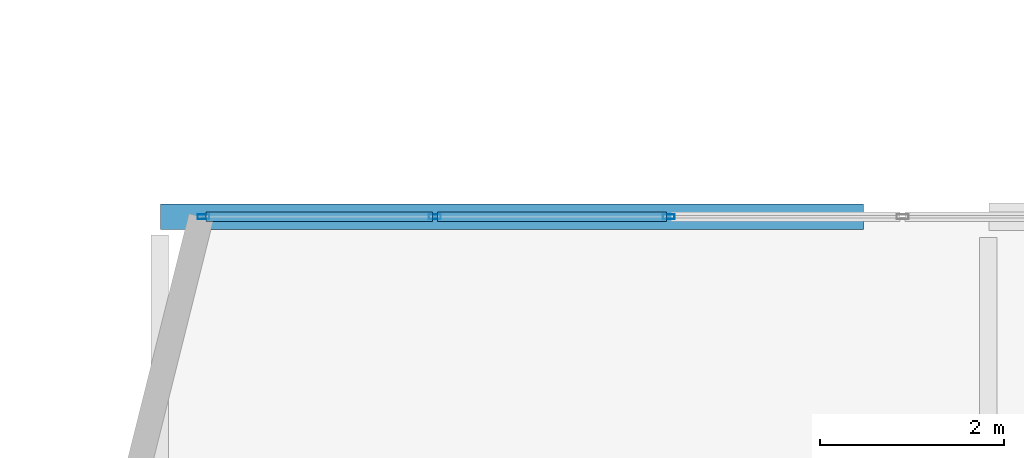
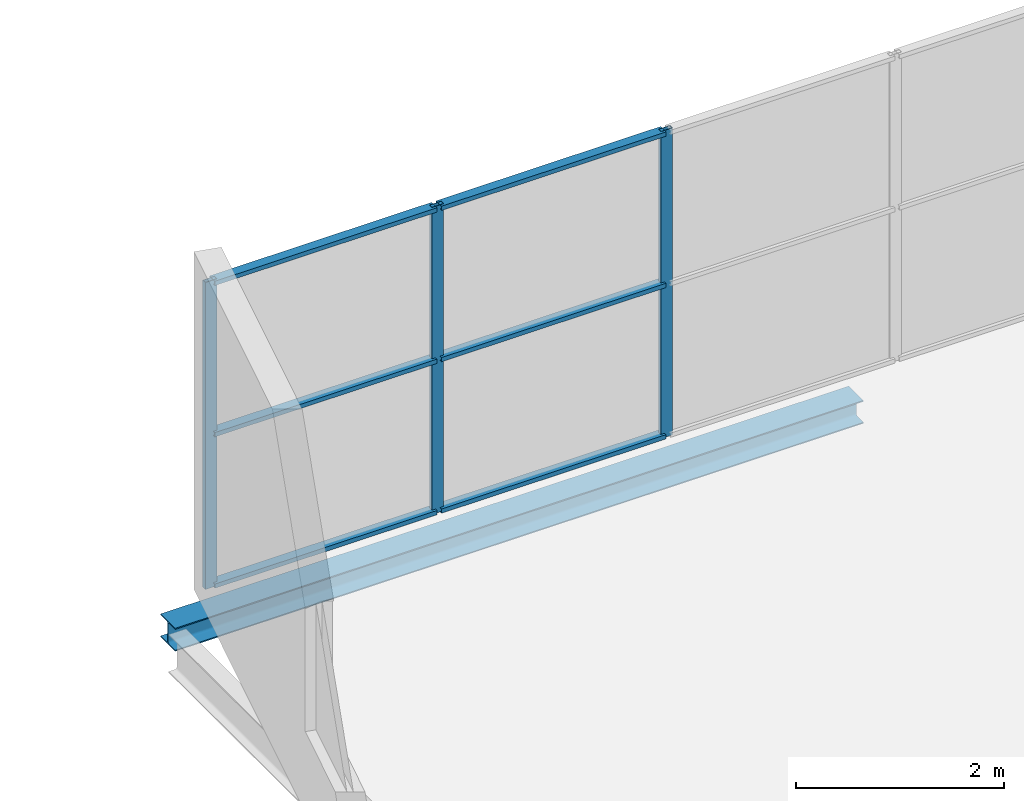
# One storey, part 26 of 59: 9 members, 1 beam, 1 element without a shape of its own.
"""IFC4 building model written with IfcOpenShell, lengths in metres."""

from ifc_helpers import new_model, si_unit, direction, frame, origin, origin_2d, place, context, subcontext, project, spatial, hollow_rectangle, i_section, extrude, material, layer, layer_set, material_profile, profile_set, type_object, element, aggregate, save


model = new_model("IFC4")

# Units and contexts
model_context = context("Model", 3, precision=1e-05, world=origin(), true_north=direction((0.0, 1.0)))
body_context = subcontext(model_context, "Body", "Model", "MODEL_VIEW")
ifc_project = project(units=[si_unit("LENGTHUNIT", "METRE"), si_unit("AREAUNIT", "SQUARE_METRE"), si_unit("VOLUMEUNIT", "CUBIC_METRE"), si_unit("PLANEANGLEUNIT", "RADIAN"), si_unit("MASSUNIT", "GRAM", prefix="KILO")], contexts=[model_context])

# Site, building, storey
site_placement = place(None, origin())
site = spatial("IfcSite", under=ifc_project, at=site_placement, CompositionType="ELEMENT")
building_placement = place(site_placement, origin())
building = spatial("IfcBuilding", under=site, at=building_placement, Name="Deido Ridge Mobility Hub", CompositionType="ELEMENT")
storey_placement = place(building_placement, frame((0.0, 0.0, 21.0)))
storey = spatial("IfcBuildingStorey", under=building, at=storey_placement, Name="L05", CompositionType="ELEMENT", Elevation=21.0)

# Curtain wall, members
ifc_material_1 = material(Name="Anodised aluminium EN AW-6063 T6", Category="aluminium")
ifc_layer = layer(ifc_material_1, 0.14404296875, Name="Anodised aluminium EN AW-6063 T6")
ifc_layer_set = layer_set([ifc_layer], Name="Anodised aluminium EN AW-6063 T6")
curtain_wall_type = type_object("IfcCurtainWallType", Name="CW-GS-2", PredefinedType="USERDEFINED", material=ifc_layer_set)
curtain_wall_placement = place(storey_placement, origin())
curtain_wall = element("IfcCurtainWall", 1, at=curtain_wall_placement, inside=storey, type_object=curtain_wall_type, Name="Unitised curtain wall GS2", ObjectType="GLAZED SCREEN", PredefinedType="USERDEFINED")
ifc_material_profile_1 = material_profile(ifc_material_1, hollow_rectangle(XDim=0.050048828125, YDim=0.1298828125, WallThickness=0.00390625, at=origin_2d()), Name="RHS 50x130x4")
ifc_profile_set_1 = profile_set([ifc_material_profile_1], Name="Anodised aluminium EN AW-6063 T6")
member_type_1 = type_object("IfcMemberType", Name="MEM-MUL-50X130", PredefinedType="MULLION", material=ifc_profile_set_1)
member_1_placement = place(storey_placement, frame((144.47509765625, 63.0, 0.0), z_axis=(0.0, 0.0, 1.0), x_axis=(0.0, 1.0, 0.0)))
member_1 = element("IfcMember", 2, at=member_1_placement, type_object=member_type_1, Name="GS2 mullion 1", PredefinedType="MULLION", context=body_context, shape_type="SweptSolid", body=[
    extrude(hollow_rectangle(XDim=0.050048828125, YDim=0.1298828125, WallThickness=0.00390625, at=origin_2d()), origin(), (0.0, 0.0, 1.0), 3.60009765625),
])
member_2_placement = place(storey_placement, frame((146.9892578125, 63.0, 0.0), z_axis=(0.0, 0.0, 1.0), x_axis=(0.0, 1.0, 0.0)))
member_2 = element("IfcMember", 3, at=member_2_placement, type_object=member_type_1, Name="GS2 mullion 2", PredefinedType="MULLION", context=body_context, shape_type="SweptSolid", body=[
    extrude(hollow_rectangle(XDim=0.050048828125, YDim=0.1298828125, WallThickness=0.00390625, at=origin_2d()), origin(), (0.0, 0.0, 1.0), 3.60009765625),
])
member_3_placement = place(storey_placement, frame((149.528564453125, 63.0, 0.0), z_axis=(0.0, 0.0, 1.0), x_axis=(0.0, 1.0, 0.0)))
member_3 = element("IfcMember", 4, at=member_3_placement, type_object=member_type_1, Name="GS2 mullion 3", PredefinedType="MULLION", context=body_context, shape_type="SweptSolid", body=[
    extrude(hollow_rectangle(XDim=0.050048828125, YDim=0.1298828125, WallThickness=0.00390625, at=origin_2d()), origin(), (0.0, 0.0, 1.0), 3.60009765625),
])
ifc_material_profile_2 = material_profile(ifc_material_1, hollow_rectangle(XDim=0.10498046875, YDim=0.050048828125, WallThickness=0.00390625, at=origin_2d()), Name="RHS 105x50x4")
ifc_profile_set_2 = profile_set([ifc_material_profile_2], Name="Anodised aluminium EN AW-6063 T6")
member_type_2 = type_object("IfcMemberType", Name="MEM-TRN-105X50", PredefinedType="USERDEFINED", material=ifc_profile_set_2)
member_4_placement = place(storey_placement, frame((144.5, 63.0, 0.02490234375), z_axis=(1.0, 0.0, 0.0), x_axis=(0.0, 1.0, 0.0)))
member_4 = element("IfcMember", 5, at=member_4_placement, type_object=member_type_2, Name="GS2 transom 1.1", ObjectType="TRANSOM", PredefinedType="USERDEFINED", context=body_context, shape_type="SweptSolid", body=[
    extrude(hollow_rectangle(XDim=0.10498046875, YDim=0.050048828125, WallThickness=0.00390625, at=origin_2d()), origin(), (0.0, 0.0, 1.0), 2.46435546875),
])
member_5_placement = place(storey_placement, frame((144.5, 63.0, 1.800048828125), z_axis=(1.0, 0.0, 0.0), x_axis=(0.0, 1.0, 0.0)))
member_5 = element("IfcMember", 6, at=member_5_placement, type_object=member_type_2, Name="GS2 transom 1.2", ObjectType="TRANSOM", PredefinedType="USERDEFINED", context=body_context, shape_type="SweptSolid", body=[
    extrude(hollow_rectangle(XDim=0.10498046875, YDim=0.050048828125, WallThickness=0.00390625, at=origin_2d()), origin(), (0.0, 0.0, 1.0), 2.46435546875),
])
member_6_placement = place(storey_placement, frame((144.5, 63.0, 3.574951171875), z_axis=(1.0, 0.0, 0.0), x_axis=(0.0, 1.0, 0.0)))
member_6 = element("IfcMember", 7, at=member_6_placement, type_object=member_type_2, Name="GS2 transom 1.3", ObjectType="TRANSOM", PredefinedType="USERDEFINED", context=body_context, shape_type="SweptSolid", body=[
    extrude(hollow_rectangle(XDim=0.10498046875, YDim=0.050048828125, WallThickness=0.00390625, at=origin_2d()), origin(), (0.0, 0.0, 1.0), 2.46435546875),
])
member_7_placement = place(storey_placement, frame((147.014404296875, 63.0, 0.02490234375), z_axis=(1.0, 0.0, 0.0), x_axis=(0.0, 1.0, 0.0)))
member_7 = element("IfcMember", 8, at=member_7_placement, type_object=member_type_2, Name="GS2 transom 2.1", ObjectType="TRANSOM", PredefinedType="USERDEFINED", context=body_context, shape_type="SweptSolid", body=[
    extrude(hollow_rectangle(XDim=0.10498046875, YDim=0.050048828125, WallThickness=0.00390625, at=origin_2d()), origin(), (0.0, 0.0, 1.0), 2.4892578125),
])
member_8_placement = place(storey_placement, frame((147.014404296875, 63.0, 1.800048828125), z_axis=(1.0, 0.0, 0.0), x_axis=(0.0, 1.0, 0.0)))
member_8 = element("IfcMember", 9, at=member_8_placement, type_object=member_type_2, Name="GS2 transom 2.2", ObjectType="TRANSOM", PredefinedType="USERDEFINED", context=body_context, shape_type="SweptSolid", body=[
    extrude(hollow_rectangle(XDim=0.10498046875, YDim=0.050048828125, WallThickness=0.00390625, at=origin_2d()), origin(), (0.0, 0.0, 1.0), 2.4892578125),
])
member_9_placement = place(storey_placement, frame((147.014404296875, 63.0, 3.574951171875), z_axis=(1.0, 0.0, 0.0), x_axis=(0.0, 1.0, 0.0)))
member_9 = element("IfcMember", 10, at=member_9_placement, type_object=member_type_2, Name="GS2 transom 2.3", ObjectType="TRANSOM", PredefinedType="USERDEFINED", context=body_context, shape_type="SweptSolid", body=[
    extrude(hollow_rectangle(XDim=0.10498046875, YDim=0.050048828125, WallThickness=0.00390625, at=origin_2d()), origin(), (0.0, 0.0, 1.0), 2.4892578125),
])
aggregate(curtain_wall, [member_1, member_2, member_3, member_4, member_5, member_6, member_7, member_8, member_9])

# Beam
ifc_material_2 = material(Name="Steel S355J2 EN 10025-2", Category="steel")
ifc_material_profile_3 = material_profile(ifc_material_2, i_section(OverallWidth=0.280029296875, OverallDepth=0.27001953125, WebThickness=0.008056640625, FlangeThickness=0.012939453125, FilletRadius=0.02392578125, at=origin_2d()), Name="HEA 280")
ifc_profile_set_3 = profile_set([ifc_material_profile_3], Name="Steel S355J2 EN 10025-2")
beam_type = type_object("IfcBeamType", Name="SPD-HEA280", PredefinedType="SPANDREL", material=ifc_profile_set_3)
beam_placement = place(storey_placement, frame((144.0087890625, 63.0, -0.3798828125), z_axis=(1.0, 0.0, 0.0), x_axis=(0.0, 1.0, 0.0)))
element("IfcBeam", 11, at=beam_placement, inside=storey, type_object=beam_type, Name="Floor beam SP2", PredefinedType="SPANDREL", context=body_context, shape_type="SweptSolid", body=[
    extrude(i_section(OverallWidth=0.280029296875, OverallDepth=0.27001953125, WebThickness=0.008056640625, FlangeThickness=0.012939453125, FilletRadius=0.02392578125, at=origin_2d()), origin(), (0.0, 0.0, 1.0), 7.63427734375),
])

save(model, "model.ifc")
